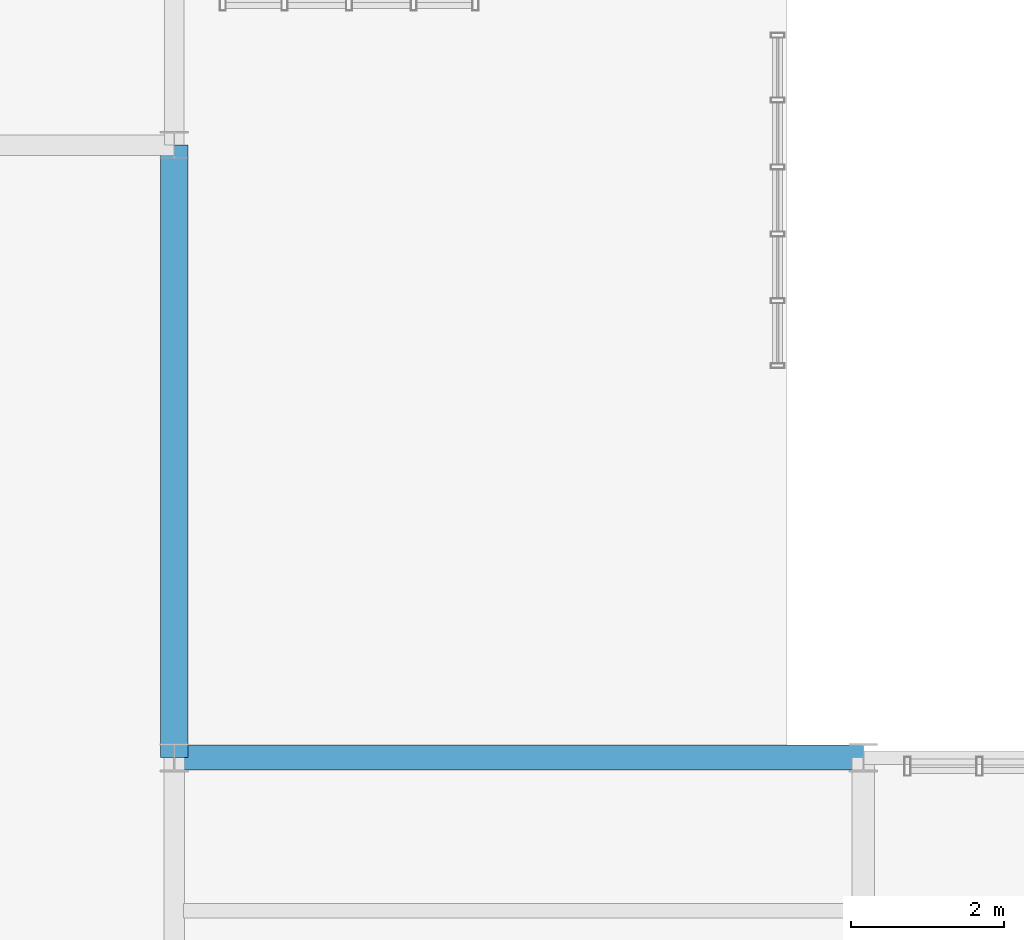
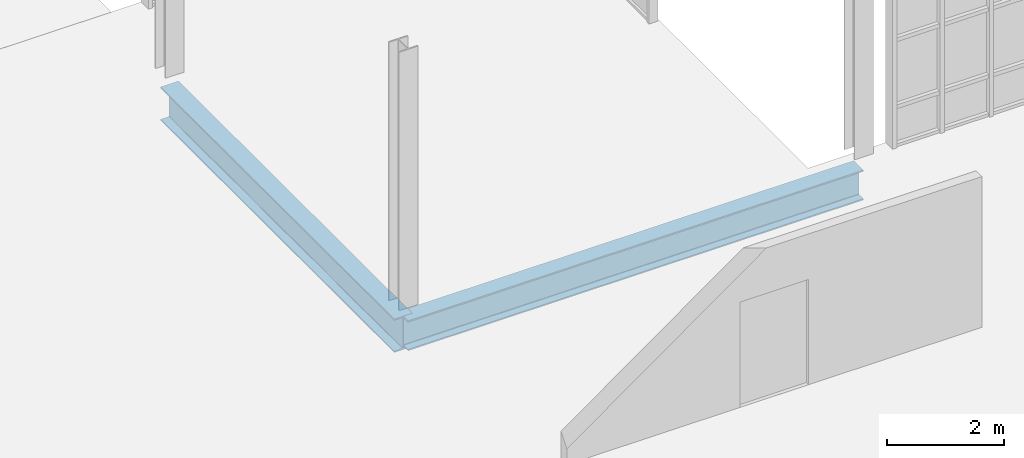
# One storey, part 74 of 189: 2 beams.
"""IFC4 building model written with IfcOpenShell, lengths in metres."""

from ifc_helpers import new_model, si_unit, direction, frame, origin, origin_2d, place, context, subcontext, project, spatial, i_section, extrude, material, material_profile, profile_set, type_object, element, save


model = new_model("IFC4")

# Units and contexts
model_context = context("Model", 3, precision=1e-05, world=origin(), true_north=direction((0.0, 1.0)))
body_context = subcontext(model_context, "Body", "Model", "MODEL_VIEW")
ifc_project = project(units=[si_unit("LENGTHUNIT", "METRE"), si_unit("AREAUNIT", "SQUARE_METRE"), si_unit("VOLUMEUNIT", "CUBIC_METRE"), si_unit("PLANEANGLEUNIT", "RADIAN"), si_unit("MASSUNIT", "GRAM", prefix="KILO"), si_unit("THERMODYNAMICTEMPERATUREUNIT", "KELVIN"), si_unit("POWERUNIT", "WATT")], contexts=[model_context])

# Site, building, storey
site_placement = place(None, origin())
site = spatial("IfcSite", under=ifc_project, at=site_placement, CompositionType="ELEMENT")
building_placement = place(site_placement, origin())
building = spatial("IfcBuilding", under=site, at=building_placement, Name="Zelmaris Science Centre", CompositionType="ELEMENT")
storey_placement = place(building_placement, origin())
storey = spatial("IfcBuildingStorey", under=building, at=storey_placement, Name="L00", CompositionType="ELEMENT", Elevation=0.0)

# Beams
ifc_material = material(Name="Steel ASTM A992 Grade 50", Category="steel")
ifc_material_profile_1 = material_profile(ifc_material, i_section(OverallWidth=0.35595703125, OverallDepth=0.700927734375, WebThickness=0.016845703125, FlangeThickness=0.02734375, FilletRadius=0.01806640625, at=origin_2d()), Name="W27X161")
ifc_profile_set_1 = profile_set([ifc_material_profile_1], Name="Steel ASTM A992 Grade 50")
beam_type_1 = type_object("IfcBeamType", Name="Beam G-35 W27X161", PredefinedType="BEAM", material=ifc_profile_set_1)
beam_1_placement = place(storey_placement, frame((108.0, 56.0, -0.640380859375), z_axis=(0.0, 1.0, 0.0), x_axis=(-1.0, 0.0, 0.0)))
element("IfcBeam", 1, at=beam_1_placement, inside=storey, type_object=beam_type_1, Name="L00 North-south girder 55", PredefinedType="BEAM", context=body_context, shape_type="SweptSolid", body=[
    extrude(i_section(OverallWidth=0.35595703125, OverallDepth=0.700927734375, WebThickness=0.016845703125, FlangeThickness=0.02734375, FilletRadius=0.01806640625, at=origin_2d()), origin(), (0.0, 0.0, 1.0), 8.0),
])
ifc_material_profile_2 = material_profile(ifc_material, i_section(OverallWidth=0.327880859375, OverallDepth=0.626953125, WebThickness=0.0166015625, FlangeThickness=0.027587890625, FilletRadius=0.014892578125, at=origin_2d()), Name="W24X146")
ifc_profile_set_2 = profile_set([ifc_material_profile_2], Name="Steel ASTM A992 Grade 50")
beam_type_2 = type_object("IfcBeamType", Name="Beam G-37 W24X146", PredefinedType="BEAM", material=ifc_profile_set_2)
beam_2_placement = place(storey_placement, frame((108.0, 56.0, -0.603515625), z_axis=(1.0, 0.0, 0.0), x_axis=(0.0, 1.0, 0.0)))
element("IfcBeam", 2, at=beam_2_placement, inside=storey, type_object=beam_type_2, Name="L00 East-west girder 150", PredefinedType="BEAM", context=body_context, shape_type="SweptSolid", body=[
    extrude(i_section(OverallWidth=0.327880859375, OverallDepth=0.626953125, WebThickness=0.0166015625, FlangeThickness=0.027587890625, FilletRadius=0.014892578125, at=origin_2d()), origin(), (0.0, 0.0, 1.0), 9.0),
])

save(model, "model.ifc")
